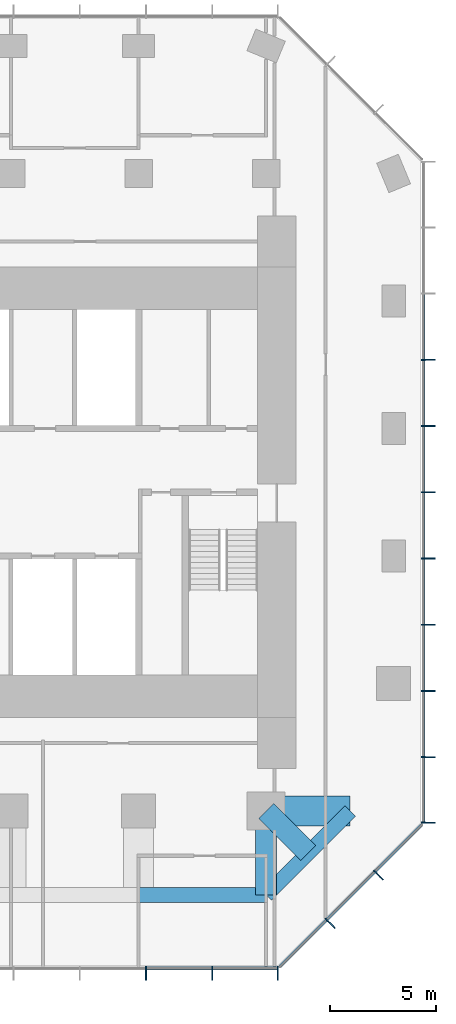
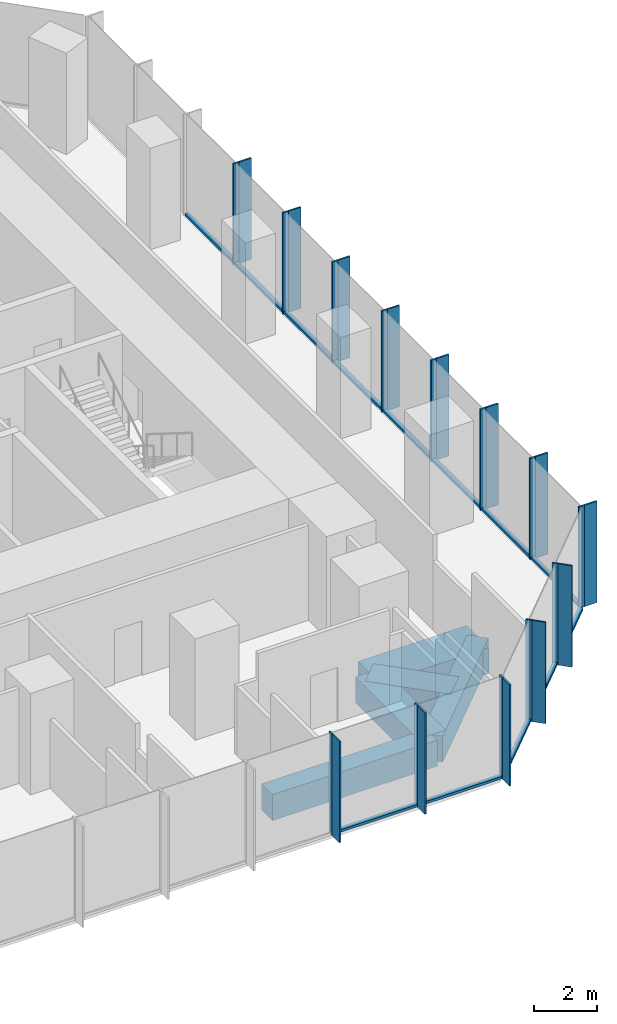
# One storey, part 4 of 11: 39 members, 5 beams, 3 elements without a shape of their own.
"""IFC4 building model written with IfcOpenShell, lengths in metres."""

from ifc_helpers import new_model, si_unit, direction, frame, origin, origin_2d, place, context, subcontext, project, spatial, rectangle, extrude, material, layer, layer_set, material_profile, profile_set, type_object, element, aggregate, save


model = new_model("IFC4")

# Units and contexts
model_context = context("Model", 3, precision=1e-05, world=origin(), true_north=direction((0.0, 1.0)))
body_context = subcontext(model_context, "Body", "Model", "MODEL_VIEW")
ifc_project = project(units=[si_unit("LENGTHUNIT", "METRE"), si_unit("AREAUNIT", "SQUARE_METRE"), si_unit("VOLUMEUNIT", "CUBIC_METRE"), si_unit("PLANEANGLEUNIT", "RADIAN"), si_unit("MASSUNIT", "GRAM", prefix="KILO")], contexts=[model_context])

# Site, building, storey
site_placement = place(None, origin())
site = spatial("IfcSite", under=ifc_project, at=site_placement, CompositionType="ELEMENT")
building_placement = place(site_placement, origin())
building = spatial("IfcBuilding", under=site, at=building_placement, Name="Highveld Stack Headquarters", CompositionType="ELEMENT")
storey_placement = place(building_placement, frame((0.0, 0.0, 216.199951171875)))
storey = spatial("IfcBuildingStorey", under=building, at=storey_placement, Name="L53", CompositionType="ELEMENT", Elevation=216.199951171875)

# Beams
ifc_material_1 = material(Name="Concrete C60/75", Category="concrete")
ifc_material_profile_1 = material_profile(ifc_material_1, rectangle(XDim=1.0, YDim=1.0, at=origin_2d()), Name="RC 1000x1000")
ifc_profile_set_1 = profile_set([ifc_material_profile_1], Name="Concrete C60/75")
beam_type_1 = type_object("IfcBeamType", Name="CANTILEVER RIB RC 1000x1000", PredefinedType="USERDEFINED", material=ifc_profile_set_1)
beam_1_placement = place(storey_placement, frame((18.0, -12.0, -0.75), z_axis=(0.0, -1.0, 0.0), x_axis=(1.0, 0.0, 0.0)))
element("IfcBeam", 1, at=beam_1_placement, inside=storey, type_object=beam_type_1, Name="Cantilever rib 9/C L53", ObjectType="CANTILEVER RIB", PredefinedType="USERDEFINED", context=body_context, shape_type="SweptSolid", body=[
    extrude(rectangle(XDim=1.0, YDim=1.0, at=origin_2d()), origin(), (0.0, 0.0, 1.0), 3.949951171875),
])
beam_2_placement = place(storey_placement, frame((18.0, -12.0, -0.75), z_axis=(0.707106781187, -0.707106781187, 0.0), x_axis=(0.707106781187, 0.707106781187, 0.0)))
element("IfcBeam", 2, at=beam_2_placement, inside=storey, type_object=beam_type_1, Name="Cantilever rib 9/C L53", ObjectType="CANTILEVER RIB", PredefinedType="USERDEFINED", context=body_context, shape_type="SweptSolid", body=[
    extrude(rectangle(XDim=1.0, YDim=1.0, at=origin_2d()), origin(), (0.0, 0.0, 1.0), 2.793212890625),
])
ifc_material_2 = material(Name="Concrete C60/75", Category="concrete")
ifc_material_profile_2 = material_profile(ifc_material_2, rectangle(XDim=1.39990234375, YDim=1.0, at=origin_2d()), Name="RC 1400x1000")
ifc_profile_set_2 = profile_set([ifc_material_profile_2], Name="Concrete C60/75")
beam_type_2 = type_object("IfcBeamType", Name="CANTILEVER RIB RC 1400x1000", PredefinedType="USERDEFINED", material=ifc_profile_set_2)
beam_3_placement = place(storey_placement, frame((18.0, -12.0, -0.75), z_axis=(1.0, 0.0, 0.0), x_axis=(0.0, 1.0, 0.0)))
element("IfcBeam", 3, at=beam_3_placement, inside=storey, type_object=beam_type_2, Name="Cantilever rib 9/C L53", ObjectType="CANTILEVER RIB", PredefinedType="USERDEFINED", context=body_context, shape_type="SweptSolid", body=[
    extrude(rectangle(XDim=1.39990234375, YDim=1.0, at=origin_2d()), origin(), (0.0, 0.0, 1.0), 3.949951171875),
])

# Curtain wall, members
ifc_material_3 = material(Name="Aluminium bronze anodised", Category="aluminium")
ifc_layer_1 = layer(ifc_material_3, 0.199951171875)
ifc_layer_set_1 = layer_set([ifc_layer_1], Name="Aluminium bronze anodised")
curtain_wall_type_1 = type_object("IfcCurtainWallType", Name="CW1 TOWER UNITISED CURTAIN WALL", PredefinedType="NOTDEFINED", material=ifc_layer_set_1)
curtain_wall_1_placement = place(storey_placement, origin())
curtain_wall_1 = element("IfcCurtainWall", 4, at=curtain_wall_1_placement, inside=storey, type_object=curtain_wall_type_1, Name="Curtain wall CW1 L53 S", PredefinedType="NOTDEFINED")
ifc_material_4 = material(Name="Aluminium bronze anodised", Category="aluminium")
ifc_material_profile_3 = material_profile(ifc_material_4, rectangle(XDim=0.449951171875, YDim=0.06005859375, at=origin_2d()), Name="FIN 450x60")
ifc_profile_set_3 = profile_set([ifc_material_profile_3], Name="Aluminium bronze anodised")
member_type_1 = type_object("IfcMemberType", Name="CW1 BRONZE FIN 450x60", PredefinedType="USERDEFINED", material=ifc_profile_set_3)
member_1_placement = place(storey_placement, frame((12.347900390625, -19.72509765625, 0.0), z_axis=(0.0, 0.0, 1.0), x_axis=(0.0, 1.0, 0.0)))
member_1 = element("IfcMember", 5, at=member_1_placement, type_object=member_type_1, Name="CW1 fin L53 9", ObjectType="FIN", PredefinedType="USERDEFINED", context=body_context, shape_type="SweptSolid", body=[
    extrude(rectangle(XDim=0.449951171875, YDim=0.06005859375, at=origin_2d()), origin(), (0.0, 0.0, 1.0), 3.900146484375),
])
member_2_placement = place(storey_placement, frame((15.4638671875, -19.72509765625, 0.0), z_axis=(0.0, 0.0, 1.0), x_axis=(0.0, 1.0, 0.0)))
member_2 = element("IfcMember", 6, at=member_2_placement, type_object=member_type_1, Name="CW1 fin L53 10", ObjectType="FIN", PredefinedType="USERDEFINED", context=body_context, shape_type="SweptSolid", body=[
    extrude(rectangle(XDim=0.449951171875, YDim=0.06005859375, at=origin_2d()), origin(), (0.0, 0.0, 1.0), 3.900146484375),
])
member_3_placement = place(storey_placement, frame((18.54736328125, -19.72509765625, 0.0), z_axis=(0.0, 0.0, 1.0), x_axis=(0.0, 1.0, 0.0)))
member_3 = element("IfcMember", 7, at=member_3_placement, type_object=member_type_1, Name="CW1 fin L53 11", ObjectType="FIN", PredefinedType="USERDEFINED", context=body_context, shape_type="SweptSolid", body=[
    extrude(rectangle(XDim=0.449951171875, YDim=0.06005859375, at=origin_2d()), origin(), (0.0, 0.0, 1.0), 3.900146484375),
])

curtain_wall_2_placement = place(storey_placement, origin())
curtain_wall_2 = element("IfcCurtainWall", 8, at=curtain_wall_2_placement, inside=storey, type_object=curtain_wall_type_1, Name="Curtain wall CW1 L53 E", PredefinedType="NOTDEFINED")
member_4_placement = place(storey_placement, frame((25.72509765625, -12.54736328125, 0.0), z_axis=(0.0, 0.0, 1.0), x_axis=(-1.0, 0.0, 0.0)))
member_4 = element("IfcMember", 9, at=member_4_placement, type_object=member_type_1, Name="CW1 fin L53 1", ObjectType="FIN", PredefinedType="USERDEFINED", context=body_context, shape_type="SweptSolid", body=[
    extrude(rectangle(XDim=0.449951171875, YDim=0.06005859375, at=origin_2d()), origin(), (0.0, 0.0, 1.0), 3.900146484375),
])
member_5_placement = place(storey_placement, frame((25.72509765625, -9.4638671875, 0.0), z_axis=(0.0, 0.0, 1.0), x_axis=(-1.0, 0.0, 0.0)))
member_5 = element("IfcMember", 10, at=member_5_placement, type_object=member_type_1, Name="CW1 fin L53 2", ObjectType="FIN", PredefinedType="USERDEFINED", context=body_context, shape_type="SweptSolid", body=[
    extrude(rectangle(XDim=0.449951171875, YDim=0.06005859375, at=origin_2d()), origin(), (0.0, 0.0, 1.0), 3.900146484375),
])
member_6_placement = place(storey_placement, frame((25.72509765625, -6.347900390625, 0.0), z_axis=(0.0, 0.0, 1.0), x_axis=(-1.0, 0.0, 0.0)))
member_6 = element("IfcMember", 11, at=member_6_placement, type_object=member_type_1, Name="CW1 fin L53 3", ObjectType="FIN", PredefinedType="USERDEFINED", context=body_context, shape_type="SweptSolid", body=[
    extrude(rectangle(XDim=0.449951171875, YDim=0.06005859375, at=origin_2d()), origin(), (0.0, 0.0, 1.0), 3.900146484375),
])
member_7_placement = place(storey_placement, frame((25.72509765625, -3.23193359375, 0.0), z_axis=(0.0, 0.0, 1.0), x_axis=(-1.0, 0.0, 0.0)))
member_7 = element("IfcMember", 12, at=member_7_placement, type_object=member_type_1, Name="CW1 fin L53 4", ObjectType="FIN", PredefinedType="USERDEFINED", context=body_context, shape_type="SweptSolid", body=[
    extrude(rectangle(XDim=0.449951171875, YDim=0.06005859375, at=origin_2d()), origin(), (0.0, 0.0, 1.0), 3.900146484375),
])
member_8_placement = place(storey_placement, frame((25.72509765625, -0.115966796875, 0.0), z_axis=(0.0, 0.0, 1.0), x_axis=(-1.0, 0.0, 0.0)))
member_8 = element("IfcMember", 13, at=member_8_placement, type_object=member_type_1, Name="CW1 fin L53 5", ObjectType="FIN", PredefinedType="USERDEFINED", context=body_context, shape_type="SweptSolid", body=[
    extrude(rectangle(XDim=0.449951171875, YDim=0.06005859375, at=origin_2d()), origin(), (0.0, 0.0, 1.0), 3.900146484375),
])
member_9_placement = place(storey_placement, frame((25.72509765625, 3.0, 0.0), z_axis=(0.0, 0.0, 1.0), x_axis=(-1.0, 0.0, 0.0)))
member_9 = element("IfcMember", 14, at=member_9_placement, type_object=member_type_1, Name="CW1 fin L53 6", ObjectType="FIN", PredefinedType="USERDEFINED", context=body_context, shape_type="SweptSolid", body=[
    extrude(rectangle(XDim=0.449951171875, YDim=0.06005859375, at=origin_2d()), origin(), (0.0, 0.0, 1.0), 3.900146484375),
])
member_10_placement = place(storey_placement, frame((25.72509765625, 6.115966796875, 0.0), z_axis=(0.0, 0.0, 1.0), x_axis=(-1.0, 0.0, 0.0)))
member_10 = element("IfcMember", 15, at=member_10_placement, type_object=member_type_1, Name="CW1 fin L53 7", ObjectType="FIN", PredefinedType="USERDEFINED", context=body_context, shape_type="SweptSolid", body=[
    extrude(rectangle(XDim=0.449951171875, YDim=0.06005859375, at=origin_2d()), origin(), (0.0, 0.0, 1.0), 3.900146484375),
])
member_11_placement = place(storey_placement, frame((25.72509765625, 9.23193359375, 0.0), z_axis=(0.0, 0.0, 1.0), x_axis=(-1.0, 0.0, 0.0)))
member_11 = element("IfcMember", 16, at=member_11_placement, type_object=member_type_1, Name="CW1 fin L53 8", ObjectType="FIN", PredefinedType="USERDEFINED", context=body_context, shape_type="SweptSolid", body=[
    extrude(rectangle(XDim=0.449951171875, YDim=0.06005859375, at=origin_2d()), origin(), (0.0, 0.0, 1.0), 3.900146484375),
])

# Member
ifc_material_5 = material(Name="Aluminium bronze anodised", Category="aluminium")
ifc_material_profile_4 = material_profile(ifc_material_5, rectangle(XDim=0.199951171875, YDim=0.06494140625, at=origin_2d()), Name="CW1 MULLION 65x200")
ifc_profile_set_4 = profile_set([ifc_material_profile_4], Name="Aluminium bronze anodised")
member_type_2 = type_object("IfcMemberType", Name="CW1 MULLION 65x200", PredefinedType="MULLION", material=ifc_profile_set_4)
member_12_placement = place(storey_placement, frame((12.347900390625, -19.39990234375, 0.0), z_axis=(0.0, 0.0, 1.0), x_axis=(0.0, 1.0, 0.0)))
member_12 = element("IfcMember", 17, at=member_12_placement, type_object=member_type_2, Name="CW1 mullion L53 9", PredefinedType="MULLION", context=body_context, shape_type="SweptSolid", body=[
    extrude(rectangle(XDim=0.199951171875, YDim=0.06494140625, at=origin_2d()), origin(), (0.0, 0.0, 1.0), 3.900146484375),
])

member_13_placement = place(storey_placement, frame((15.4638671875, -19.39990234375, 0.0), z_axis=(0.0, 0.0, 1.0), x_axis=(0.0, 1.0, 0.0)))
member_13 = element("IfcMember", 18, at=member_13_placement, type_object=member_type_2, Name="CW1 mullion L53 10", PredefinedType="MULLION", context=body_context, shape_type="SweptSolid", body=[
    extrude(rectangle(XDim=0.199951171875, YDim=0.06494140625, at=origin_2d()), origin(), (0.0, 0.0, 1.0), 3.900146484375),
])

member_14_placement = place(storey_placement, frame((18.54736328125, -19.39990234375, 0.0), z_axis=(0.0, 0.0, 1.0), x_axis=(0.0, 1.0, 0.0)))
member_14 = element("IfcMember", 19, at=member_14_placement, type_object=member_type_2, Name="CW1 mullion L53 11", PredefinedType="MULLION", context=body_context, shape_type="SweptSolid", body=[
    extrude(rectangle(XDim=0.199951171875, YDim=0.06494140625, at=origin_2d()), origin(), (0.0, 0.0, 1.0), 3.900146484375),
])

member_15_placement = place(storey_placement, frame((25.39990234375, -12.54736328125, 0.0), z_axis=(0.0, 0.0, 1.0), x_axis=(-1.0, 0.0, 0.0)))
member_15 = element("IfcMember", 20, at=member_15_placement, type_object=member_type_2, Name="CW1 mullion L53 1", PredefinedType="MULLION", context=body_context, shape_type="SweptSolid", body=[
    extrude(rectangle(XDim=0.199951171875, YDim=0.06494140625, at=origin_2d()), origin(), (0.0, 0.0, 1.0), 3.900146484375),
])

member_16_placement = place(storey_placement, frame((25.39990234375, -9.4638671875, 0.0), z_axis=(0.0, 0.0, 1.0), x_axis=(-1.0, 0.0, 0.0)))
member_16 = element("IfcMember", 21, at=member_16_placement, type_object=member_type_2, Name="CW1 mullion L53 2", PredefinedType="MULLION", context=body_context, shape_type="SweptSolid", body=[
    extrude(rectangle(XDim=0.199951171875, YDim=0.06494140625, at=origin_2d()), origin(), (0.0, 0.0, 1.0), 3.900146484375),
])

member_17_placement = place(storey_placement, frame((25.39990234375, -6.347900390625, 0.0), z_axis=(0.0, 0.0, 1.0), x_axis=(-1.0, 0.0, 0.0)))
member_17 = element("IfcMember", 22, at=member_17_placement, type_object=member_type_2, Name="CW1 mullion L53 3", PredefinedType="MULLION", context=body_context, shape_type="SweptSolid", body=[
    extrude(rectangle(XDim=0.199951171875, YDim=0.06494140625, at=origin_2d()), origin(), (0.0, 0.0, 1.0), 3.900146484375),
])

member_18_placement = place(storey_placement, frame((25.39990234375, -3.23193359375, 0.0), z_axis=(0.0, 0.0, 1.0), x_axis=(-1.0, 0.0, 0.0)))
member_18 = element("IfcMember", 23, at=member_18_placement, type_object=member_type_2, Name="CW1 mullion L53 4", PredefinedType="MULLION", context=body_context, shape_type="SweptSolid", body=[
    extrude(rectangle(XDim=0.199951171875, YDim=0.06494140625, at=origin_2d()), origin(), (0.0, 0.0, 1.0), 3.900146484375),
])

member_19_placement = place(storey_placement, frame((25.39990234375, -0.115966796875, 0.0), z_axis=(0.0, 0.0, 1.0), x_axis=(-1.0, 0.0, 0.0)))
member_19 = element("IfcMember", 24, at=member_19_placement, type_object=member_type_2, Name="CW1 mullion L53 5", PredefinedType="MULLION", context=body_context, shape_type="SweptSolid", body=[
    extrude(rectangle(XDim=0.199951171875, YDim=0.06494140625, at=origin_2d()), origin(), (0.0, 0.0, 1.0), 3.900146484375),
])

member_20_placement = place(storey_placement, frame((25.39990234375, 3.0, 0.0), z_axis=(0.0, 0.0, 1.0), x_axis=(-1.0, 0.0, 0.0)))
member_20 = element("IfcMember", 25, at=member_20_placement, type_object=member_type_2, Name="CW1 mullion L53 6", PredefinedType="MULLION", context=body_context, shape_type="SweptSolid", body=[
    extrude(rectangle(XDim=0.199951171875, YDim=0.06494140625, at=origin_2d()), origin(), (0.0, 0.0, 1.0), 3.900146484375),
])

member_21_placement = place(storey_placement, frame((25.39990234375, 6.115966796875, 0.0), z_axis=(0.0, 0.0, 1.0), x_axis=(-1.0, 0.0, 0.0)))
member_21 = element("IfcMember", 26, at=member_21_placement, type_object=member_type_2, Name="CW1 mullion L53 7", PredefinedType="MULLION", context=body_context, shape_type="SweptSolid", body=[
    extrude(rectangle(XDim=0.199951171875, YDim=0.06494140625, at=origin_2d()), origin(), (0.0, 0.0, 1.0), 3.900146484375),
])

member_22_placement = place(storey_placement, frame((25.39990234375, 9.23193359375, 0.0), z_axis=(0.0, 0.0, 1.0), x_axis=(-1.0, 0.0, 0.0)))
member_22 = element("IfcMember", 27, at=member_22_placement, type_object=member_type_2, Name="CW1 mullion L53 8", PredefinedType="MULLION", context=body_context, shape_type="SweptSolid", body=[
    extrude(rectangle(XDim=0.199951171875, YDim=0.06494140625, at=origin_2d()), origin(), (0.0, 0.0, 1.0), 3.900146484375),
])

ifc_material_6 = material(Name="Aluminium bronze anodised", Category="aluminium")
ifc_material_profile_5 = material_profile(ifc_material_6, rectangle(XDim=0.14990234375, YDim=0.10009765625, at=origin_2d()), Name="CW1 TRANSOM 150x100")
ifc_profile_set_5 = profile_set([ifc_material_profile_5], Name="Aluminium bronze anodised")
member_type_3 = type_object("IfcMemberType", Name="CW1 STACK TRANSOM 150x100", PredefinedType="USERDEFINED", material=ifc_profile_set_5)
member_23_placement = place(storey_placement, frame((12.38037109375, -19.39990234375, 0.050048828125), z_axis=(1.0, 0.0, 0.0), x_axis=(0.0, 1.0, 0.0)))
member_23 = element("IfcMember", 28, at=member_23_placement, type_object=member_type_3, Name="CW1 transom L53 9.1", ObjectType="TRANSOM", PredefinedType="USERDEFINED", context=body_context, shape_type="SweptSolid", body=[
    extrude(rectangle(XDim=0.14990234375, YDim=0.10009765625, at=origin_2d()), origin(), (0.0, 0.0, 1.0), 3.051025390625),
])

member_24_placement = place(storey_placement, frame((15.496337890625, -19.39990234375, 0.050048828125), z_axis=(1.0, 0.0, 0.0), x_axis=(0.0, 1.0, 0.0)))
member_24 = element("IfcMember", 29, at=member_24_placement, type_object=member_type_3, Name="CW1 transom L53 10.1", ObjectType="TRANSOM", PredefinedType="USERDEFINED", context=body_context, shape_type="SweptSolid", body=[
    extrude(rectangle(XDim=0.14990234375, YDim=0.10009765625, at=origin_2d()), origin(), (0.0, 0.0, 1.0), 3.0185546875),
])

aggregate(curtain_wall_1, [member_12, member_1, member_13, member_2, member_14, member_3, member_23, member_24])

member_25_placement = place(storey_placement, frame((25.39990234375, -12.514892578125, 0.050048828125), z_axis=(0.0, 1.0, 0.0), x_axis=(-1.0, 0.0, 0.0)))
member_25 = element("IfcMember", 30, at=member_25_placement, type_object=member_type_3, Name="CW1 transom L53 1.1", ObjectType="TRANSOM", PredefinedType="USERDEFINED", context=body_context, shape_type="SweptSolid", body=[
    extrude(rectangle(XDim=0.14990234375, YDim=0.10009765625, at=origin_2d()), origin(), (0.0, 0.0, 1.0), 3.0185546875),
])

member_26_placement = place(storey_placement, frame((25.39990234375, -9.431396484375, 0.050048828125), z_axis=(0.0, 1.0, 0.0), x_axis=(-1.0, 0.0, 0.0)))
member_26 = element("IfcMember", 31, at=member_26_placement, type_object=member_type_3, Name="CW1 transom L53 2.1", ObjectType="TRANSOM", PredefinedType="USERDEFINED", context=body_context, shape_type="SweptSolid", body=[
    extrude(rectangle(XDim=0.14990234375, YDim=0.10009765625, at=origin_2d()), origin(), (0.0, 0.0, 1.0), 3.051025390625),
])

member_27_placement = place(storey_placement, frame((25.39990234375, -6.3154296875, 0.050048828125), z_axis=(0.0, 1.0, 0.0), x_axis=(-1.0, 0.0, 0.0)))
member_27 = element("IfcMember", 32, at=member_27_placement, type_object=member_type_3, Name="CW1 transom L53 3.1", ObjectType="TRANSOM", PredefinedType="USERDEFINED", context=body_context, shape_type="SweptSolid", body=[
    extrude(rectangle(XDim=0.14990234375, YDim=0.10009765625, at=origin_2d()), origin(), (0.0, 0.0, 1.0), 3.051025390625),
])

member_28_placement = place(storey_placement, frame((25.39990234375, -3.199462890625, 0.050048828125), z_axis=(0.0, 1.0, 0.0), x_axis=(-1.0, 0.0, 0.0)))
member_28 = element("IfcMember", 33, at=member_28_placement, type_object=member_type_3, Name="CW1 transom L53 4.1", ObjectType="TRANSOM", PredefinedType="USERDEFINED", context=body_context, shape_type="SweptSolid", body=[
    extrude(rectangle(XDim=0.14990234375, YDim=0.10009765625, at=origin_2d()), origin(), (0.0, 0.0, 1.0), 3.051025390625),
])

member_29_placement = place(storey_placement, frame((25.39990234375, -0.08349609375, 0.050048828125), z_axis=(0.0, 1.0, 0.0), x_axis=(-1.0, 0.0, 0.0)))
member_29 = element("IfcMember", 34, at=member_29_placement, type_object=member_type_3, Name="CW1 transom L53 5.1", ObjectType="TRANSOM", PredefinedType="USERDEFINED", context=body_context, shape_type="SweptSolid", body=[
    extrude(rectangle(XDim=0.14990234375, YDim=0.10009765625, at=origin_2d()), origin(), (0.0, 0.0, 1.0), 3.051025390625),
])

member_30_placement = place(storey_placement, frame((25.39990234375, 3.032470703125, 0.050048828125), z_axis=(0.0, 1.0, 0.0), x_axis=(-1.0, 0.0, 0.0)))
member_30 = element("IfcMember", 35, at=member_30_placement, type_object=member_type_3, Name="CW1 transom L53 6.1", ObjectType="TRANSOM", PredefinedType="USERDEFINED", context=body_context, shape_type="SweptSolid", body=[
    extrude(rectangle(XDim=0.14990234375, YDim=0.10009765625, at=origin_2d()), origin(), (0.0, 0.0, 1.0), 3.051025390625),
])

member_31_placement = place(storey_placement, frame((25.39990234375, 6.1484375, 0.050048828125), z_axis=(0.0, 1.0, 0.0), x_axis=(-1.0, 0.0, 0.0)))
member_31 = element("IfcMember", 36, at=member_31_placement, type_object=member_type_3, Name="CW1 transom L53 7.1", ObjectType="TRANSOM", PredefinedType="USERDEFINED", context=body_context, shape_type="SweptSolid", body=[
    extrude(rectangle(XDim=0.14990234375, YDim=0.10009765625, at=origin_2d()), origin(), (0.0, 0.0, 1.0), 3.051025390625),
])

member_32_placement = place(storey_placement, frame((25.39990234375, 9.264404296875, 0.050048828125), z_axis=(0.0, 1.0, 0.0), x_axis=(-1.0, 0.0, 0.0)))
member_32 = element("IfcMember", 37, at=member_32_placement, type_object=member_type_3, Name="CW1 transom L53 8.1", ObjectType="TRANSOM", PredefinedType="USERDEFINED", context=body_context, shape_type="SweptSolid", body=[
    extrude(rectangle(XDim=0.14990234375, YDim=0.10009765625, at=origin_2d()), origin(), (0.0, 0.0, 1.0), 3.051025390625),
])

aggregate(curtain_wall_2, [member_15, member_4, member_16, member_5, member_17, member_6, member_18, member_7, member_19, member_8, member_20, member_9, member_21, member_10, member_22, member_11, member_25, member_26, member_27, member_28, member_29, member_30, member_31, member_32])

# Curtain wall, members
ifc_material_7 = material(Name="Aluminium bronze anodised", Category="aluminium")
ifc_layer_2 = layer(ifc_material_7, 0.199951171875)
ifc_layer_set_2 = layer_set([ifc_layer_2], Name="Aluminium bronze anodised")
curtain_wall_type_2 = type_object("IfcCurtainWallType", Name="CW2 TOWER CHAMFER UNITISED CURTAIN WALL", PredefinedType="NOTDEFINED", material=ifc_layer_set_2)
curtain_wall_3_placement = place(storey_placement, origin())
curtain_wall_3 = element("IfcCurtainWall", 38, at=curtain_wall_3_placement, inside=storey, type_object=curtain_wall_type_2, Name="Curtain wall CW2 L53 SE", PredefinedType="NOTDEFINED")
ifc_material_8 = material(Name="Aluminium bronze anodised", Category="aluminium")
ifc_material_profile_6 = material_profile(ifc_material_8, rectangle(XDim=0.449951171875, YDim=0.06005859375, at=origin_2d()), Name="FIN 450x60")
ifc_profile_set_6 = profile_set([ifc_material_profile_6], Name="Aluminium bronze anodised")
member_type_4 = type_object("IfcMemberType", Name="CW2 BRONZE FIN 450x60", PredefinedType="USERDEFINED", material=ifc_profile_set_6)
member_33_placement = place(storey_placement, frame((21.0830078125, -17.3564453125, 0.0), z_axis=(0.0, 0.0, 1.0), x_axis=(-0.707106781187, 0.707106781187, 0.0)))
member_33 = element("IfcMember", 39, at=member_33_placement, type_object=member_type_4, Name="CW2 fin L53 1", ObjectType="FIN", PredefinedType="USERDEFINED", context=body_context, shape_type="SweptSolid", body=[
    extrude(rectangle(XDim=0.449951171875, YDim=0.06005859375, at=origin_2d()), origin(), (0.0, 0.0, 1.0), 3.900146484375),
])
member_34_placement = place(storey_placement, frame((23.3564453125, -15.0830078125, 0.0), z_axis=(0.0, 0.0, 1.0), x_axis=(-0.707106781187, 0.707106781187, 0.0)))
member_34 = element("IfcMember", 40, at=member_34_placement, type_object=member_type_4, Name="CW2 fin L53 2", ObjectType="FIN", PredefinedType="USERDEFINED", context=body_context, shape_type="SweptSolid", body=[
    extrude(rectangle(XDim=0.449951171875, YDim=0.06005859375, at=origin_2d()), origin(), (0.0, 0.0, 1.0), 3.900146484375),
])
ifc_material_9 = material(Name="Aluminium bronze anodised", Category="aluminium")
ifc_material_profile_7 = material_profile(ifc_material_9, rectangle(XDim=0.199951171875, YDim=0.06494140625, at=origin_2d()), Name="CW2 MULLION 65x200")
ifc_profile_set_7 = profile_set([ifc_material_profile_7], Name="Aluminium bronze anodised")
member_type_5 = type_object("IfcMemberType", Name="CW2 MULLION 65x200", PredefinedType="MULLION", material=ifc_profile_set_7)
member_35_placement = place(storey_placement, frame((20.853271484375, -17.126708984375, 0.0), z_axis=(0.0, 0.0, 1.0), x_axis=(-0.707106781187, 0.707106781187, 0.0)))
member_35 = element("IfcMember", 41, at=member_35_placement, type_object=member_type_5, Name="CW2 mullion L53 1", PredefinedType="MULLION", context=body_context, shape_type="SweptSolid", body=[
    extrude(rectangle(XDim=0.199951171875, YDim=0.06494140625, at=origin_2d()), origin(), (0.0, 0.0, 1.0), 3.900146484375),
])
member_36_placement = place(storey_placement, frame((23.126708984375, -14.853271484375, 0.0), z_axis=(0.0, 0.0, 1.0), x_axis=(-0.707106781187, 0.707106781187, 0.0)))
member_36 = element("IfcMember", 42, at=member_36_placement, type_object=member_type_5, Name="CW2 mullion L53 2", PredefinedType="MULLION", context=body_context, shape_type="SweptSolid", body=[
    extrude(rectangle(XDim=0.199951171875, YDim=0.06494140625, at=origin_2d()), origin(), (0.0, 0.0, 1.0), 3.900146484375),
])
ifc_material_10 = material(Name="Aluminium bronze anodised", Category="aluminium")
ifc_material_profile_8 = material_profile(ifc_material_10, rectangle(XDim=0.14990234375, YDim=0.10009765625, at=origin_2d()), Name="CW2 TRANSOM 150x100")
ifc_profile_set_8 = profile_set([ifc_material_profile_8], Name="Aluminium bronze anodised")
member_type_6 = type_object("IfcMemberType", Name="CW2 STACK TRANSOM 150x100", PredefinedType="USERDEFINED", material=ifc_profile_set_8)
member_37_placement = place(storey_placement, frame((18.650634765625, -19.329345703125, 0.050048828125), z_axis=(0.707106781187, 0.707106781187, 0.0), x_axis=(-0.707106781187, 0.707106781187, 0.0)))
member_37 = element("IfcMember", 43, at=member_37_placement, type_object=member_type_6, Name="CW2 transom L53 1.1", ObjectType="TRANSOM", PredefinedType="USERDEFINED", context=body_context, shape_type="SweptSolid", body=[
    extrude(rectangle(XDim=0.14990234375, YDim=0.10009765625, at=origin_2d()), origin(), (0.0, 0.0, 1.0), 3.08251953125),
])
member_38_placement = place(storey_placement, frame((20.876220703125, -17.103759765625, 0.050048828125), z_axis=(0.707106781187, 0.707106781187, 0.0), x_axis=(-0.707106781187, 0.707106781187, 0.0)))
member_38 = element("IfcMember", 44, at=member_38_placement, type_object=member_type_6, Name="CW2 transom L53 2.1", ObjectType="TRANSOM", PredefinedType="USERDEFINED", context=body_context, shape_type="SweptSolid", body=[
    extrude(rectangle(XDim=0.14990234375, YDim=0.10009765625, at=origin_2d()), origin(), (0.0, 0.0, 1.0), 3.150146484375),
])
member_39_placement = place(storey_placement, frame((23.149658203125, -14.830322265625, 0.050048828125), z_axis=(0.707106781187, 0.707106781187, 0.0), x_axis=(-0.707106781187, 0.707106781187, 0.0)))
member_39 = element("IfcMember", 45, at=member_39_placement, type_object=member_type_6, Name="CW2 transom L53 3.1", ObjectType="TRANSOM", PredefinedType="USERDEFINED", context=body_context, shape_type="SweptSolid", body=[
    extrude(rectangle(XDim=0.14990234375, YDim=0.10009765625, at=origin_2d()), origin(), (0.0, 0.0, 1.0), 3.08251953125),
])
aggregate(curtain_wall_3, [member_35, member_33, member_36, member_34, member_37, member_38, member_39])

# Beams
ifc_material_11 = material(Name="Concrete C60/75", Category="concrete")
ifc_material_profile_9 = material_profile(ifc_material_11, rectangle(XDim=0.699951171875, YDim=1.0, at=origin_2d()), Name="RC 700x1000")
ifc_profile_set_9 = profile_set([ifc_material_profile_9], Name="Concrete C60/75")
beam_type_3 = type_object("IfcBeamType", Name="RIB TIP BEAM RC 700x1000", PredefinedType="SPANDREL", material=ifc_profile_set_9)
beam_4_placement = place(storey_placement, frame((12.0, -15.949951171875, -0.75), z_axis=(1.0, 0.0, 0.0), x_axis=(0.0, 1.0, 0.0)))
element("IfcBeam", 46, at=beam_4_placement, inside=storey, type_object=beam_type_3, Name="Rib tip beam 8/C to 9/C L53", PredefinedType="SPANDREL", context=body_context, shape_type="SweptSolid", body=[
    extrude(rectangle(XDim=0.699951171875, YDim=1.0, at=origin_2d()), origin(), (0.0, 0.0, 1.0), 6.0),
])
beam_5_placement = place(storey_placement, frame((21.949951171875, -12.0, -0.75), z_axis=(-0.707106781187, -0.707106781187, 0.0), x_axis=(0.707106781187, -0.707106781187, 0.0)))
element("IfcBeam", 47, at=beam_5_placement, inside=storey, type_object=beam_type_3, Name="Rib tip beam 9/C corner L53", PredefinedType="SPANDREL", context=body_context, shape_type="SweptSolid", body=[
    extrude(rectangle(XDim=0.699951171875, YDim=1.0, at=origin_2d()), origin(), (0.0, 0.0, 1.0), 5.586181640625),
])

save(model, "model.ifc")
